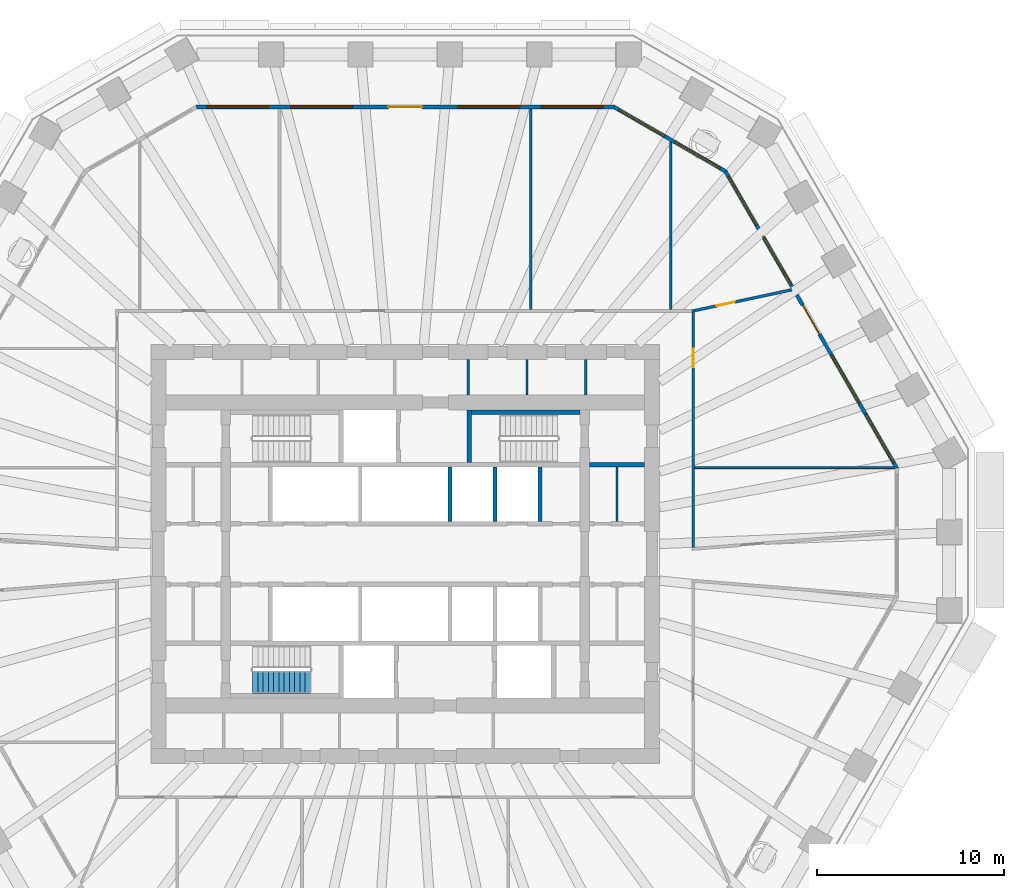
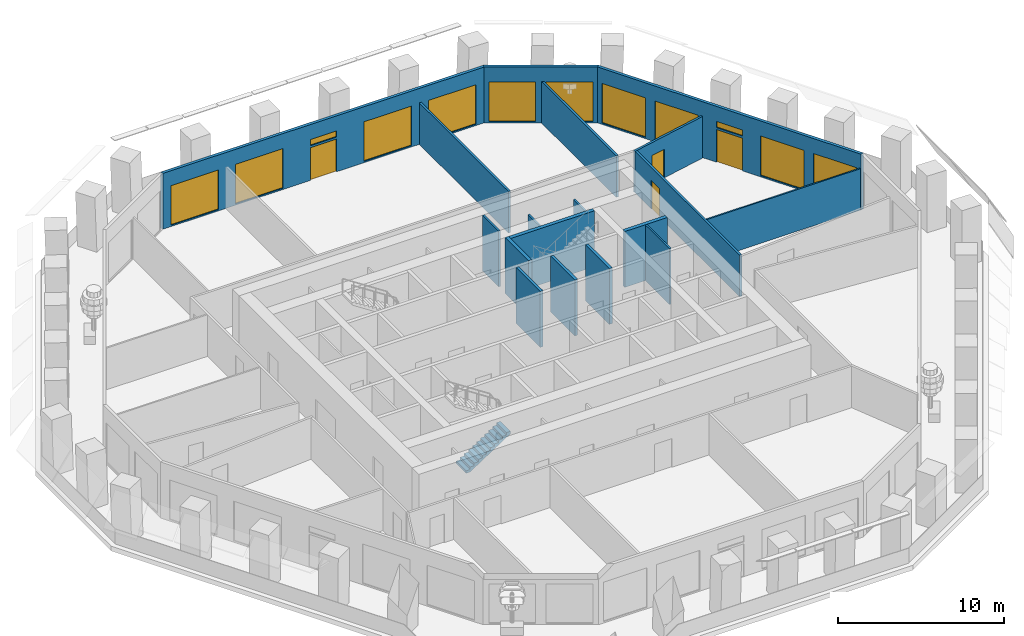
# One storey, part 8 of 13: 18 walls, 12 windows, 4 doors, 1 stair flight, 16 openings, 1 element without a shape of its own.
"""IFC4 building model written with IfcOpenShell, lengths in metres."""

from ifc_helpers import new_model, si_unit, direction, frame, frame_2d, origin, place, context, subcontext, project, spatial, polyline, rectangle, outline, extrude, material, layer, layer_set, type_object, element, fill, aggregate, save


model = new_model("IFC4")

# Units and contexts
model_context = context("Model", 3, precision=1e-05, world=origin(), true_north=direction((0.0, 1.0)))
body_context = subcontext(model_context, "Body", "Model", "MODEL_VIEW")
ifc_project = project(units=[si_unit("LENGTHUNIT", "METRE"), si_unit("AREAUNIT", "SQUARE_METRE"), si_unit("VOLUMEUNIT", "CUBIC_METRE"), si_unit("PLANEANGLEUNIT", "RADIAN"), si_unit("MASSUNIT", "GRAM", prefix="KILO")], contexts=[model_context])

# Site, building, storey
site_placement = place(None, origin())
site = spatial("IfcSite", under=ifc_project, at=site_placement, CompositionType="ELEMENT")
building_placement = place(site_placement, origin())
building = spatial("IfcBuilding", under=site, at=building_placement, Name="Frailejon Research Tower", CompositionType="ELEMENT")
storey_placement = place(building_placement, frame((0.0, 0.0, 117.60009765625)))
storey = spatial("IfcBuildingStorey", under=building, at=storey_placement, Name="L25", CompositionType="ELEMENT", Elevation=117.60009765625)

# Walls
ifc_material_1 = material(Name="Plasterboard on steel studs", Category="steel")
ifc_layer_1 = layer(ifc_material_1, 0.125)
ifc_layer_set_1 = layer_set([ifc_layer_1], Name="Core partition 125")
wall_type_1 = type_object("IfcWallType", Name="Core partition 125", PredefinedType="PARTITIONING", material=ifc_layer_set_1)
wall_1_placement = place(storey_placement, frame((3.362548828125, 8.5, 0.0), z_axis=(0.0, 0.0, 1.0), x_axis=(0.0, 1.0, 0.0)))
element("IfcWall", 1, at=wall_1_placement, inside=storey, type_object=wall_type_1, Name="Core partition", PredefinedType="PARTITIONING", context=body_context, shape_type="SweptSolid", body=[
    extrude(rectangle(XDim=1.89990234375, YDim=0.125, at=frame_2d((0.949951171875, 0.0))), origin(), (0.0, 0.0, 1.0), 4.099853515625),
])
for number, where, z_axis, x_axis, name in (
    (2, (6.50830078125, 8.5, 0.0), (0.0, 0.0, 1.0), (0.0, 1.0, 0.0), "Core partition"),
    (3, (9.654296875, 8.5, 0.0), (0.0, 0.0, 1.0), (0.0, 1.0, 0.0), "Core partition"),
):
    element("IfcWall", number, at=place(storey_placement, frame(where, z_axis=z_axis, x_axis=x_axis)), inside=storey, type_object=wall_type_1, Name=name, PredefinedType="PARTITIONING", context=body_context, shape_type="SweptSolid", body=[
        extrude(rectangle(XDim=1.89990234375, YDim=0.125, at=frame_2d((0.949951171875, 0.0))), origin(), (0.0, 0.0, 1.0), 3.0498046875),
    ])
wall_2_placement = place(storey_placement, frame((11.324951171875, 1.75, 0.0), z_axis=(0.0, 0.0, 1.0), x_axis=(0.0, 1.0, 0.0)))
element("IfcWall", 4, at=wall_2_placement, inside=storey, type_object=wall_type_1, Name="Core partition", PredefinedType="PARTITIONING", context=body_context, shape_type="SweptSolid", body=[
    extrude(rectangle(XDim=2.89990234375, YDim=0.125, at=frame_2d((1.449951171875, 0.0))), origin(), (0.0, 0.0, 1.0), 4.099853515625),
])

# Wall, opening, door
ifc_material_2 = material(Name="Gypsum board and masonry partition", Category="masonry")
ifc_layer_2 = layer(ifc_material_2, 0.14990234375)
ifc_layer_set_2 = layer_set([ifc_layer_2], Name="Corridor wall EI 60, gypsum on steel studs 150")
wall_type_2 = type_object("IfcWallType", Name="Corridor wall EI 60, gypsum on steel studs 150", PredefinedType="PARTITIONING", material=ifc_layer_set_2)
wall_3_placement = place(storey_placement, frame((15.39990234375, 0.349365234375, 0.0), z_axis=(0.0, 0.0, 1.0), x_axis=(0.0, 1.0, 0.0)))
wall_3 = element("IfcWall", 5, at=wall_3_placement, inside=storey, type_object=wall_type_2, Name="T:IW:L25:002", PredefinedType="PARTITIONING", context=body_context, shape_type="SweptSolid", body=[
    extrude(rectangle(XDim=12.57568359375, YDim=0.14990234375, at=frame_2d((6.287841796875, 0.0))), origin(), (0.0, 0.0, 1.0), 3.0498046875),
])
opening_1_placement = place(wall_3_placement, frame((9.630615234375, 0.0, 0.0)))
opening_1 = element("IfcOpeningElement", 6, at=opening_1_placement, cuts=wall_3, Name="Opening D1616", PredefinedType="OPENING", context=body_context, shape_type="SweptSolid", body=[
    extrude(rectangle(XDim=1.0, YDim=2.10009765625, at=frame_2d((0.5, 1.050048828125))), frame((0.0, 0.0849609375, 0.0), z_axis=(0.0, -1.0, 0.0), x_axis=(1.0, 0.0, 0.0)), (0.0, 0.0, 1.0), 0.169921875),
])
ifc_material_3 = material(Name="Timber door leaf", Category="wood")
door_type_1 = type_object("IfcDoorType", Name="Door single leaf, timber, steel frame 1000", OperationType="NOTDEFINED", PredefinedType="DOOR", material=ifc_material_3)
door_1_placement = place(opening_1_placement, origin())
door_1 = element("IfcDoor", 7, at=door_1_placement, inside=storey, type_object=door_type_1, Name="D1616", OperationType="SINGLE_SWING_LEFT", OverallHeight=2.10009765625, OverallWidth=1.0, PredefinedType="DOOR", context=body_context, shape_type="SweptSolid", body=[
    extrude(rectangle(XDim=1.0, YDim=2.10009765625, at=frame_2d((0.5, 1.050048828125))), frame((0.0, 0.02490234375, 0.0), z_axis=(0.0, -1.0, 0.0), x_axis=(1.0, 0.0, 0.0)), (0.0, 0.0, 1.0), 0.050048828125),
])
fill(opening_1, door_1)

ifc_material_4 = material(Name="Gypsum board and masonry partition", Category="masonry")
ifc_layer_3 = layer(ifc_material_4, 0.14990234375)
ifc_layer_set_3 = layer_set([ifc_layer_3], Name="Laboratory partition, blockwork 150")
wall_type_3 = type_object("IfcWallType", Name="Laboratory partition, blockwork 150", PredefinedType="PARTITIONING", material=ifc_layer_set_3)
wall_4_placement = place(storey_placement, frame((15.32666015625, 12.984375, 0.0), z_axis=(0.0, 0.0, 1.0), x_axis=(0.977871777119, 0.209205132621, 0.0)))
wall_4 = element("IfcWall", 8, at=wall_4_placement, inside=storey, type_object=wall_type_3, Name="T:IW:L25:011", PredefinedType="PARTITIONING", context=body_context, shape_type="SweptSolid", body=[
    extrude(rectangle(XDim=5.45556640625, YDim=0.14990234375, at=frame_2d((2.727783203125, 0.0))), origin(), (0.0, 0.0, 1.0), 3.0498046875),
])
opening_2_placement = place(wall_4_placement, frame((1.34521484375, 0.0, 0.0)))
opening_2 = element("IfcOpeningElement", 9, at=opening_2_placement, cuts=wall_4, Name="Opening D1617", PredefinedType="OPENING", context=body_context, shape_type="SweptSolid", body=[
    extrude(rectangle(XDim=1.0, YDim=2.10009765625, at=frame_2d((0.5, 1.050048828125))), frame((0.0, 0.0849609375, 0.0), z_axis=(0.0, -1.0, 0.0), x_axis=(1.0, 0.0, 0.0)), (0.0, 0.0, 1.0), 0.169921875),
])
ifc_material_5 = material(Name="Timber door leaf", Category="wood")
door_type_2 = type_object("IfcDoorType", Name="Door laboratory, timber, vision panel 1000", OperationType="NOTDEFINED", PredefinedType="DOOR", material=ifc_material_5)
door_2_placement = place(opening_2_placement, origin())
door_2 = element("IfcDoor", 10, at=door_2_placement, inside=storey, type_object=door_type_2, Name="D1617", OperationType="SINGLE_SWING_RIGHT", OverallHeight=2.10009765625, OverallWidth=1.0, PredefinedType="DOOR", context=body_context, shape_type="SweptSolid", body=[
    extrude(rectangle(XDim=1.0, YDim=2.10009765625, at=frame_2d((0.5, 1.050048828125))), frame((0.0, 0.02490234375, 0.0), z_axis=(0.0, -1.0, 0.0), x_axis=(1.0, 0.0, 0.0)), (0.0, 0.0, 1.0), 0.050048828125),
])
fill(opening_2, door_2)

# Walls
wall_5_placement = place(storey_placement, frame((14.19189453125, 13.074951171875, 0.0), z_axis=(0.0, 0.0, 1.0), x_axis=(0.0, 1.0, 0.0)))
element("IfcWall", 11, at=wall_5_placement, inside=storey, type_object=wall_type_3, Name="T:IW:L25:012", PredefinedType="PARTITIONING", context=body_context, shape_type="SweptSolid", body=[
    extrude(rectangle(XDim=8.962158203125, YDim=0.14990234375, at=frame_2d((4.48095703125, 0.0))), origin(), (0.0, 0.0, 1.0), 3.0498046875),
])
wall_6_placement = place(storey_placement, frame((6.715087890625, 13.074951171875, 0.0), z_axis=(0.0, 0.0, 1.0), x_axis=(0.0, 1.0, 0.0)))
element("IfcWall", 12, at=wall_6_placement, inside=storey, type_object=wall_type_3, Name="T:IW:L25:013", PredefinedType="PARTITIONING", context=body_context, shape_type="SweptSolid", body=[
    extrude(rectangle(XDim=10.72509765625, YDim=0.14990234375, at=frame_2d((5.362548828125, 0.0))), origin(), (0.0, 0.0, 1.0), 3.0498046875),
])
ifc_material_6 = material(Name="Gypsum board and masonry partition", Category="masonry")
ifc_layer_4 = layer(ifc_material_6, 0.10009765625)
ifc_layer_set_4 = layer_set([ifc_layer_4], Name="Partition, gypsum on steel studs 100")
wall_type_4 = type_object("IfcWallType", Name="Partition, gypsum on steel studs 100", PredefinedType="PARTITIONING", material=ifc_layer_set_4)
wall_7_placement = place(storey_placement, frame((15.47509765625, 4.62060546875, 0.0), z_axis=(0.0, 0.0, 1.0), x_axis=(1.0, 0.0, 0.0)))
element("IfcWall", 13, at=wall_7_placement, inside=storey, type_object=wall_type_4, Name="T:IW:L25:021", PredefinedType="PARTITIONING", context=body_context, shape_type="SweptSolid", body=[
    extrude(rectangle(XDim=10.674560546875, YDim=0.10009765625, at=frame_2d((5.33740234375, 0.0))), origin(), (0.0, 0.0, 1.0), 3.0498046875),
])
ifc_material_7 = material(Name="Concrete C70/85", Category="concrete")
ifc_layer_5 = layer(ifc_material_7, 0.199951171875)
ifc_layer_set_5 = layer_set([ifc_layer_5], Name="Shaft wall 200 C70/85")
wall_type_5 = type_object("IfcWallType", Name="Shaft wall 200 C70/85", PredefinedType="SOLIDWALL", material=ifc_layer_set_5)
for number, where, z_axis, x_axis, name in (
    (14, (2.39990234375, 1.75, 0.0), (0.0, 0.0, 1.0), (0.0, 1.0, 0.0), "Shaft wall"),
    (15, (4.800048828125, 1.75, 0.0), (0.0, 0.0, 1.0), (0.0, 1.0, 0.0), "Shaft wall"),
    (16, (7.199951171875, 1.75, 0.0), (0.0, 0.0, 1.0), (0.0, 1.0, 0.0), "Shaft wall"),
):
    element("IfcWall", number, at=place(storey_placement, frame(where, z_axis=z_axis, x_axis=x_axis)), inside=storey, type_object=wall_type_5, Name=name, PredefinedType="SOLIDWALL", context=body_context, shape_type="SweptSolid", body=[
        extrude(rectangle(XDim=2.89990234375, YDim=0.199951171875, at=frame_2d((1.449951171875, 0.0))), origin(), (0.0, 0.0, 1.0), 4.099853515625),
    ])
ifc_material_8 = material(Name="Concrete C70/85", Category="concrete")
ifc_layer_6 = layer(ifc_material_8, 0.25)
ifc_layer_set_6 = layer_set([ifc_layer_6], Name="Shaft wall 250 C70/85")
wall_type_6 = type_object("IfcWallType", Name="Shaft wall 250 C70/85", PredefinedType="SOLIDWALL", material=ifc_layer_set_6)
wall_8_placement = place(storey_placement, frame((9.85009765625, 4.77490234375, 0.0), z_axis=(0.0, 0.0, 1.0), x_axis=(1.0, 0.0, 0.0)))
element("IfcWall", 17, at=wall_8_placement, inside=storey, type_object=wall_type_6, Name="Shaft wall", PredefinedType="SOLIDWALL", context=body_context, shape_type="SweptSolid", body=[
    extrude(rectangle(XDim=2.949951171875, YDim=0.25, at=frame_2d((1.47509765625, 0.0))), origin(), (0.0, 0.0, 1.0), 4.099853515625),
])
wall_9_placement = place(storey_placement, frame((3.550048828125, 7.574951171875, 0.0), z_axis=(0.0, 0.0, 1.0), x_axis=(1.0, 0.0, 0.0)))
element("IfcWall", 18, at=wall_9_placement, inside=storey, type_object=wall_type_6, Name="Shaft wall", PredefinedType="SOLIDWALL", context=body_context, shape_type="SweptSolid", body=[
    extrude(rectangle(XDim=5.800048828125, YDim=0.25, at=frame_2d((2.89990234375, 0.0))), origin(), (0.0, 0.0, 1.0), 4.099853515625),
])
wall_10_placement = place(storey_placement, frame((3.425048828125, 4.89990234375, 0.0), z_axis=(0.0, 0.0, 1.0), x_axis=(0.0, 1.0, 0.0)))
element("IfcWall", 19, at=wall_10_placement, inside=storey, type_object=wall_type_6, Name="Shaft wall", PredefinedType="SOLIDWALL", context=body_context, shape_type="SweptSolid", body=[
    extrude(rectangle(XDim=2.800048828125, YDim=0.25, at=frame_2d((1.39990234375, 0.0))), origin(), (0.0, 0.0, 1.0), 4.099853515625),
])

# Wall, openings, door, windows
ifc_material_9 = material(Name="Concrete C40/50 precast window wall panel", Category="concrete")
ifc_layer_7 = layer(ifc_material_9, 0.199951171875)
ifc_layer_set_7 = layer_set([ifc_layer_7], Name="Window wall 200")
wall_type_7 = type_object("IfcWallType", Name="Window wall 200", PredefinedType="SOLIDWALL", material=ifc_layer_set_7)
wall_11_placement = place(storey_placement, frame((26.280517578125, 4.59375, 0.0), z_axis=(0.0, 0.0, 1.0), x_axis=(-0.499998099904, 0.866026500803, 0.0)))
wall_11 = element("IfcWall", 20, at=wall_11_placement, inside=storey, type_object=wall_type_7, Name="Exterior wall L25", PredefinedType="SOLIDWALL", context=body_context, shape_type="SweptSolid", body=[
    extrude(outline(polyline([(-0.02685546875, -0.10009765625), (0.994140625, -0.10009765625), (2.01513671875, -0.10009765625), (3.0361328125, -0.10009765625), (4.05712890625, -0.10009765625), (5.077880859375, -0.10009765625), (6.098876953125, -0.10009765625), (7.119873046875, -0.10009765625), (8.140869140625, -0.10009765625), (9.161865234375, -0.10009765625), (10.182861328125, -0.10009765625), (11.203857421875, -0.10009765625), (12.224853515625, -0.10009765625), (13.245849609375, -0.10009765625), (14.2666015625, -0.10009765625), (15.28759765625, -0.10009765625), (16.30859375, -0.10009765625), (17.32958984375, -0.10009765625), (18.3505859375, -0.10009765625), (18.296875, 0.10009765625), (17.281982421875, 0.10009765625), (16.266845703125, 0.10009765625), (15.251953125, 0.10009765625), (14.23681640625, 0.10009765625), (13.221923828125, 0.10009765625), (12.206787109375, 0.10009765625), (11.19189453125, 0.10009765625), (10.1767578125, 0.10009765625), (9.161865234375, 0.10009765625), (8.14697265625, 0.10009765625), (7.1318359375, 0.10009765625), (6.116943359375, 0.10009765625), (5.101806640625, 0.10009765625), (4.0869140625, 0.10009765625), (3.07177734375, 0.10009765625), (2.056884765625, 0.10009765625), (1.041748046875, 0.10009765625), (0.02685546875, 0.10009765625), (-0.02685546875, -0.10009765625)])), origin(), (0.0, 0.0, 1.0), 4.099853515625),
])
opening_3_placement = place(wall_11_placement, frame((0.33251953125, 0.0, 0.10009765625)))
opening_3 = element("IfcOpeningElement", 21, at=opening_3_placement, cuts=wall_11, Name="Opening W4", PredefinedType="OPENING", context=body_context, shape_type="SweptSolid", body=[
    extrude(rectangle(XDim=3.0, YDim=2.89990234375, at=frame_2d((1.5, 1.449951171875))), frame((0.0, 0.10986328125, 0.0), z_axis=(0.0, -1.0, 0.0), x_axis=(1.0, 0.0, 0.0)), (0.0, 0.0, 1.0), 0.219970703125),
])
opening_4_placement = place(wall_11_placement, frame((3.9970703125, 0.0, 0.10009765625)))
opening_4 = element("IfcOpeningElement", 22, at=opening_4_placement, cuts=wall_11, Name="Opening W4", PredefinedType="OPENING", context=body_context, shape_type="SweptSolid", body=[
    extrude(rectangle(XDim=3.0, YDim=2.89990234375, at=frame_2d((1.5, 1.449951171875))), frame((0.0, 0.10986328125, 0.0), z_axis=(0.0, -1.0, 0.0), x_axis=(1.0, 0.0, 0.0)), (0.0, 0.0, 1.0), 0.219970703125),
])
opening_5_placement = place(wall_11_placement, frame((8.261962890625, 0.0, 0.0)))
opening_5 = element("IfcOpeningElement", 23, at=opening_5_placement, cuts=wall_11, Name="Opening LG25-1", PredefinedType="OPENING", context=body_context, shape_type="SweptSolid", body=[
    extrude(rectangle(XDim=1.800048828125, YDim=2.39990234375, at=frame_2d((0.89990234375, 1.199951171875))), frame((0.0, 0.10986328125, 0.0), z_axis=(0.0, -1.0, 0.0), x_axis=(1.0, 0.0, 0.0)), (0.0, 0.0, 1.0), 0.219970703125),
])
opening_6_placement = place(wall_11_placement, frame((8.261962890625, 0.0, 2.550048828125)))
opening_6 = element("IfcOpeningElement", 24, at=opening_6_placement, cuts=wall_11, Name="Opening W1", PredefinedType="OPENING", context=body_context, shape_type="SweptSolid", body=[
    extrude(rectangle(XDim=1.800048828125, YDim=0.449951171875, at=frame_2d((0.89990234375, 0.22509765625))), frame((0.0, 0.10986328125, 0.0), z_axis=(0.0, -1.0, 0.0), x_axis=(1.0, 0.0, 0.0)), (0.0, 0.0, 1.0), 0.219970703125),
])
opening_7_placement = place(wall_11_placement, frame((11.32666015625, 0.0, 0.10009765625)))
opening_7 = element("IfcOpeningElement", 25, at=opening_7_placement, cuts=wall_11, Name="Opening W4", PredefinedType="OPENING", context=body_context, shape_type="SweptSolid", body=[
    extrude(rectangle(XDim=3.0, YDim=2.89990234375, at=frame_2d((1.5, 1.449951171875))), frame((0.0, 0.10986328125, 0.0), z_axis=(0.0, -1.0, 0.0), x_axis=(1.0, 0.0, 0.0)), (0.0, 0.0, 1.0), 0.219970703125),
])
opening_8_placement = place(wall_11_placement, frame((14.991455078125, 0.0, 0.10009765625)))
opening_8 = element("IfcOpeningElement", 26, at=opening_8_placement, cuts=wall_11, Name="Opening W4", PredefinedType="OPENING", context=body_context, shape_type="SweptSolid", body=[
    extrude(rectangle(XDim=3.0, YDim=2.89990234375, at=frame_2d((1.5, 1.449951171875))), frame((0.0, 0.10986328125, 0.0), z_axis=(0.0, -1.0, 0.0), x_axis=(1.0, 0.0, 0.0)), (0.0, 0.0, 1.0), 0.219970703125),
])
ifc_material_10 = material(Name="Aluminium framed glazed door leaf", Category="aluminium")
door_type_3 = type_object("IfcDoorType", Name="Loggia door 1800x2400", OperationType="DOUBLE_DOOR_SINGLE_SWING", PredefinedType="DOOR", material=ifc_material_10)
door_3_placement = place(opening_5_placement, origin())
door_3 = element("IfcDoor", 27, at=door_3_placement, inside=storey, type_object=door_type_3, Name="Door LG25-1", OperationType="DOUBLE_DOOR_SINGLE_SWING", OverallHeight=2.39990234375, OverallWidth=1.800048828125, PredefinedType="DOOR", context=body_context, shape_type="SweptSolid", body=[
    extrude(rectangle(XDim=1.800048828125, YDim=2.39990234375, at=frame_2d((0.89990234375, 1.199951171875))), frame((0.0, 0.02490234375, 0.0), z_axis=(0.0, -1.0, 0.0), x_axis=(1.0, 0.0, 0.0)), (0.0, 0.0, 1.0), 0.050048828125),
])
fill(opening_5, door_3)
ifc_material_11 = material(Name="Aluminium framed double glazing", Category="aluminium")
window_type_1 = type_object("IfcWindowType", Name="Window 1800x450", PartitioningType="SINGLE_PANEL", PredefinedType="WINDOW", material=ifc_material_11)
window_1_placement = place(opening_6_placement, origin())
window_1 = element("IfcWindow", 28, at=window_1_placement, inside=storey, type_object=window_type_1, Name="Window L25", OverallHeight=0.449951171875, OverallWidth=1.800048828125, PartitioningType="SINGLE_PANEL", PredefinedType="WINDOW", context=body_context, shape_type="SweptSolid", body=[
    extrude(rectangle(XDim=1.800048828125, YDim=0.449951171875, at=frame_2d((0.89990234375, 0.22509765625))), frame((0.0, 0.030029296875, 0.0), z_axis=(0.0, -1.0, 0.0), x_axis=(1.0, 0.0, 0.0)), (0.0, 0.0, 1.0), 0.06005859375),
])
fill(opening_6, window_1)
ifc_material_12 = material(Name="Aluminium framed double glazing", Category="aluminium")
window_type_2 = type_object("IfcWindowType", Name="Window 3000x2900", PartitioningType="SINGLE_PANEL", PredefinedType="WINDOW", material=ifc_material_12)
window_2_placement = place(opening_3_placement, origin())
window_2 = element("IfcWindow", 29, at=window_2_placement, inside=storey, type_object=window_type_2, Name="Window L25", OverallHeight=2.89990234375, OverallWidth=3.0, PartitioningType="SINGLE_PANEL", PredefinedType="WINDOW", context=body_context, shape_type="SweptSolid", body=[
    extrude(rectangle(XDim=3.0, YDim=2.89990234375, at=frame_2d((1.5, 1.449951171875))), frame((0.0, 0.030029296875, 0.0), z_axis=(0.0, -1.0, 0.0), x_axis=(1.0, 0.0, 0.0)), (0.0, 0.0, 1.0), 0.06005859375),
])
fill(opening_3, window_2)
window_3_placement = place(opening_4_placement, origin())
window_3 = element("IfcWindow", 30, at=window_3_placement, inside=storey, type_object=window_type_2, Name="Window L25", OverallHeight=2.89990234375, OverallWidth=3.0, PartitioningType="SINGLE_PANEL", PredefinedType="WINDOW", context=body_context, shape_type="SweptSolid", body=[
    extrude(rectangle(XDim=3.0, YDim=2.89990234375, at=frame_2d((1.5, 1.449951171875))), frame((0.0, 0.030029296875, 0.0), z_axis=(0.0, -1.0, 0.0), x_axis=(1.0, 0.0, 0.0)), (0.0, 0.0, 1.0), 0.06005859375),
])
fill(opening_4, window_3)
window_4_placement = place(opening_7_placement, origin())
window_4 = element("IfcWindow", 31, at=window_4_placement, inside=storey, type_object=window_type_2, Name="Window L25", OverallHeight=2.89990234375, OverallWidth=3.0, PartitioningType="SINGLE_PANEL", PredefinedType="WINDOW", context=body_context, shape_type="SweptSolid", body=[
    extrude(rectangle(XDim=3.0, YDim=2.89990234375, at=frame_2d((1.5, 1.449951171875))), frame((0.0, 0.030029296875, 0.0), z_axis=(0.0, -1.0, 0.0), x_axis=(1.0, 0.0, 0.0)), (0.0, 0.0, 1.0), 0.06005859375),
])
fill(opening_7, window_4)
window_5_placement = place(opening_8_placement, origin())
window_5 = element("IfcWindow", 32, at=window_5_placement, inside=storey, type_object=window_type_2, Name="Window L25", OverallHeight=2.89990234375, OverallWidth=3.0, PartitioningType="SINGLE_PANEL", PredefinedType="WINDOW", context=body_context, shape_type="SweptSolid", body=[
    extrude(rectangle(XDim=3.0, YDim=2.89990234375, at=frame_2d((1.5, 1.449951171875))), frame((0.0, 0.030029296875, 0.0), z_axis=(0.0, -1.0, 0.0), x_axis=(1.0, 0.0, 0.0)), (0.0, 0.0, 1.0), 0.06005859375),
])
fill(opening_8, window_5)

# Wall, openings, windows
wall_12_placement = place(storey_placement, frame((17.11865234375, 20.462646484375, 0.0), z_axis=(0.0, 0.0, 1.0), x_axis=(-0.866029458321, 0.49999297727, 0.0)))
wall_12 = element("IfcWall", 33, at=wall_12_placement, inside=storey, type_object=wall_type_7, Name="Exterior wall L25", PredefinedType="SOLIDWALL", context=body_context, shape_type="SweptSolid", body=[
    extrude(outline(polyline([(-0.02685546875, -0.10009765625), (1.1279296875, -0.10009765625), (2.282470703125, -0.10009765625), (3.437255859375, -0.10009765625), (4.592041015625, -0.10009765625), (5.74658203125, -0.10009765625), (6.9013671875, -0.10009765625), (6.84765625, 0.10009765625), (5.7109375, 0.10009765625), (4.573974609375, 0.10009765625), (3.437255859375, 0.10009765625), (2.300537109375, 0.10009765625), (1.16357421875, 0.10009765625), (0.02685546875, 0.10009765625), (-0.02685546875, -0.10009765625)])), origin(), (0.0, 0.0, 1.0), 4.099853515625),
])
opening_9_placement = place(wall_12_placement, frame((0.318603515625, 0.0, 0.10009765625)))
opening_9 = element("IfcOpeningElement", 34, at=opening_9_placement, cuts=wall_12, Name="Opening W3", PredefinedType="OPENING", context=body_context, shape_type="SweptSolid", body=[
    extrude(rectangle(XDim=2.800048828125, YDim=2.89990234375, at=frame_2d((1.39990234375, 1.449951171875))), frame((0.0, 0.10986328125, 0.0), z_axis=(0.0, -1.0, 0.0), x_axis=(1.0, 0.0, 0.0)), (0.0, 0.0, 1.0), 0.219970703125),
])
opening_10_placement = place(wall_12_placement, frame((3.756103515625, 0.0, 0.10009765625)))
opening_10 = element("IfcOpeningElement", 35, at=opening_10_placement, cuts=wall_12, Name="Opening W3", PredefinedType="OPENING", context=body_context, shape_type="SweptSolid", body=[
    extrude(rectangle(XDim=2.800048828125, YDim=2.89990234375, at=frame_2d((1.39990234375, 1.449951171875))), frame((0.0, 0.10986328125, 0.0), z_axis=(0.0, -1.0, 0.0), x_axis=(1.0, 0.0, 0.0)), (0.0, 0.0, 1.0), 0.219970703125),
])
ifc_material_13 = material(Name="Aluminium framed double glazing", Category="aluminium")
window_type_3 = type_object("IfcWindowType", Name="Window 2800x2900", PartitioningType="SINGLE_PANEL", PredefinedType="WINDOW", material=ifc_material_13)
window_6_placement = place(opening_9_placement, origin())
window_6 = element("IfcWindow", 36, at=window_6_placement, inside=storey, type_object=window_type_3, Name="Window L25", OverallHeight=2.89990234375, OverallWidth=2.800048828125, PartitioningType="SINGLE_PANEL", PredefinedType="WINDOW", context=body_context, shape_type="SweptSolid", body=[
    extrude(rectangle(XDim=2.800048828125, YDim=2.89990234375, at=frame_2d((1.39990234375, 1.449951171875))), frame((0.0, 0.030029296875, 0.0), z_axis=(0.0, -1.0, 0.0), x_axis=(1.0, 0.0, 0.0)), (0.0, 0.0, 1.0), 0.06005859375),
])
fill(opening_9, window_6)
window_7_placement = place(opening_10_placement, origin())
window_7 = element("IfcWindow", 37, at=window_7_placement, inside=storey, type_object=window_type_3, Name="Window L25", OverallHeight=2.89990234375, OverallWidth=2.800048828125, PartitioningType="SINGLE_PANEL", PredefinedType="WINDOW", context=body_context, shape_type="SweptSolid", body=[
    extrude(rectangle(XDim=2.800048828125, YDim=2.89990234375, at=frame_2d((1.39990234375, 1.449951171875))), frame((0.0, 0.030029296875, 0.0), z_axis=(0.0, -1.0, 0.0), x_axis=(1.0, 0.0, 0.0)), (0.0, 0.0, 1.0), 0.06005859375),
])
fill(opening_10, window_7)

# Wall, openings, door, windows
wall_13_placement = place(storey_placement, frame((11.1650390625, 23.89990234375, 0.0), z_axis=(0.0, 0.0, 1.0), x_axis=(-1.0, 0.0, 0.0)))
wall_13 = element("IfcWall", 38, at=wall_13_placement, inside=storey, type_object=wall_type_7, Name="Exterior wall L25", PredefinedType="SOLIDWALL", context=body_context, shape_type="SweptSolid", body=[
    extrude(outline(polyline([(-0.02685546875, -0.10009765625), (0.990478515625, -0.10009765625), (2.008056640625, -0.10009765625), (3.025390625, -0.10009765625), (4.04296875, -0.10009765625), (5.060302734375, -0.10009765625), (6.077880859375, -0.10009765625), (7.09521484375, -0.10009765625), (8.11279296875, -0.10009765625), (9.130126953125, -0.10009765625), (10.147705078125, -0.10009765625), (11.1650390625, -0.10009765625), (12.182373046875, -0.10009765625), (13.199951171875, -0.10009765625), (14.21728515625, -0.10009765625), (15.23486328125, -0.10009765625), (16.252197265625, -0.10009765625), (17.269775390625, -0.10009765625), (18.287109375, -0.10009765625), (19.3046875, -0.10009765625), (20.322021484375, -0.10009765625), (21.339599609375, -0.10009765625), (22.35693359375, -0.10009765625), (22.30322265625, 0.10009765625), (21.290771484375, 0.10009765625), (20.278076171875, 0.10009765625), (19.265625, 0.10009765625), (18.2529296875, 0.10009765625), (17.240478515625, 0.10009765625), (16.227783203125, 0.10009765625), (15.21533203125, 0.10009765625), (14.20263671875, 0.10009765625), (13.190185546875, 0.10009765625), (12.177490234375, 0.10009765625), (11.1650390625, 0.10009765625), (10.152587890625, 0.10009765625), (9.139892578125, 0.10009765625), (8.12744140625, 0.10009765625), (7.11474609375, 0.10009765625), (6.102294921875, 0.10009765625), (5.089599609375, 0.10009765625), (4.0771484375, 0.10009765625), (3.064453125, 0.10009765625), (2.052001953125, 0.10009765625), (1.039306640625, 0.10009765625), (0.02685546875, 0.10009765625), (-0.02685546875, -0.10009765625)])), origin(), (0.0, 0.0, 1.0), 4.099853515625),
])
opening_11_placement = place(wall_13_placement, frame((0.5830078125, 0.0, 0.10009765625)))
opening_11 = element("IfcOpeningElement", 39, at=opening_11_placement, cuts=wall_13, Name="Opening W5", PredefinedType="OPENING", context=body_context, shape_type="SweptSolid", body=[
    extrude(rectangle(XDim=3.300048828125, YDim=2.89990234375, at=frame_2d((1.64990234375, 1.449951171875))), frame((0.0, 0.10986328125, 0.0), z_axis=(0.0, -1.0, 0.0), x_axis=(1.0, 0.0, 0.0)), (0.0, 0.0, 1.0), 0.219970703125),
])
opening_12_placement = place(wall_13_placement, frame((5.049072265625, 0.0, 0.10009765625)))
opening_12 = element("IfcOpeningElement", 40, at=opening_12_placement, cuts=wall_13, Name="Opening W5", PredefinedType="OPENING", context=body_context, shape_type="SweptSolid", body=[
    extrude(rectangle(XDim=3.300048828125, YDim=2.89990234375, at=frame_2d((1.64990234375, 1.449951171875))), frame((0.0, 0.10986328125, 0.0), z_axis=(0.0, -1.0, 0.0), x_axis=(1.0, 0.0, 0.0)), (0.0, 0.0, 1.0), 0.219970703125),
])
opening_13_placement = place(wall_13_placement, frame((10.264892578125, 0.0, 0.0)))
opening_13 = element("IfcOpeningElement", 41, at=opening_13_placement, cuts=wall_13, Name="Opening LG25-2", PredefinedType="OPENING", context=body_context, shape_type="SweptSolid", body=[
    extrude(rectangle(XDim=1.800048828125, YDim=2.39990234375, at=frame_2d((0.89990234375, 1.199951171875))), frame((0.0, 0.10986328125, 0.0), z_axis=(0.0, -1.0, 0.0), x_axis=(1.0, 0.0, 0.0)), (0.0, 0.0, 1.0), 0.219970703125),
])
opening_14_placement = place(wall_13_placement, frame((10.264892578125, 0.0, 2.550048828125)))
opening_14 = element("IfcOpeningElement", 42, at=opening_14_placement, cuts=wall_13, Name="Opening W1", PredefinedType="OPENING", context=body_context, shape_type="SweptSolid", body=[
    extrude(rectangle(XDim=1.800048828125, YDim=0.449951171875, at=frame_2d((0.89990234375, 0.22509765625))), frame((0.0, 0.10986328125, 0.0), z_axis=(0.0, -1.0, 0.0), x_axis=(1.0, 0.0, 0.0)), (0.0, 0.0, 1.0), 0.219970703125),
])
opening_15_placement = place(wall_13_placement, frame((13.98095703125, 0.0, 0.10009765625)))
opening_15 = element("IfcOpeningElement", 43, at=opening_15_placement, cuts=wall_13, Name="Opening W5", PredefinedType="OPENING", context=body_context, shape_type="SweptSolid", body=[
    extrude(rectangle(XDim=3.300048828125, YDim=2.89990234375, at=frame_2d((1.64990234375, 1.449951171875))), frame((0.0, 0.10986328125, 0.0), z_axis=(0.0, -1.0, 0.0), x_axis=(1.0, 0.0, 0.0)), (0.0, 0.0, 1.0), 0.219970703125),
])
opening_16_placement = place(wall_13_placement, frame((18.447021484375, 0.0, 0.10009765625)))
opening_16 = element("IfcOpeningElement", 44, at=opening_16_placement, cuts=wall_13, Name="Opening W5", PredefinedType="OPENING", context=body_context, shape_type="SweptSolid", body=[
    extrude(rectangle(XDim=3.300048828125, YDim=2.89990234375, at=frame_2d((1.64990234375, 1.449951171875))), frame((0.0, 0.10986328125, 0.0), z_axis=(0.0, -1.0, 0.0), x_axis=(1.0, 0.0, 0.0)), (0.0, 0.0, 1.0), 0.219970703125),
])
door_4_placement = place(opening_13_placement, origin())
door_4 = element("IfcDoor", 45, at=door_4_placement, inside=storey, type_object=door_type_3, Name="Door LG25-2", OperationType="DOUBLE_DOOR_SINGLE_SWING", OverallHeight=2.39990234375, OverallWidth=1.800048828125, PredefinedType="DOOR", context=body_context, shape_type="SweptSolid", body=[
    extrude(rectangle(XDim=1.800048828125, YDim=2.39990234375, at=frame_2d((0.89990234375, 1.199951171875))), frame((0.0, 0.02490234375, 0.0), z_axis=(0.0, -1.0, 0.0), x_axis=(1.0, 0.0, 0.0)), (0.0, 0.0, 1.0), 0.050048828125),
])
fill(opening_13, door_4)
window_8_placement = place(opening_14_placement, origin())
window_8 = element("IfcWindow", 46, at=window_8_placement, inside=storey, type_object=window_type_1, Name="Window L25", OverallHeight=0.449951171875, OverallWidth=1.800048828125, PartitioningType="SINGLE_PANEL", PredefinedType="WINDOW", context=body_context, shape_type="SweptSolid", body=[
    extrude(rectangle(XDim=1.800048828125, YDim=0.449951171875, at=frame_2d((0.89990234375, 0.22509765625))), frame((0.0, 0.030029296875, 0.0), z_axis=(0.0, -1.0, 0.0), x_axis=(1.0, 0.0, 0.0)), (0.0, 0.0, 1.0), 0.06005859375),
])
fill(opening_14, window_8)
ifc_material_14 = material(Name="Aluminium framed double glazing", Category="aluminium")
window_type_4 = type_object("IfcWindowType", Name="Window 3300x2900", PartitioningType="SINGLE_PANEL", PredefinedType="WINDOW", material=ifc_material_14)
window_9_placement = place(opening_11_placement, origin())
window_9 = element("IfcWindow", 47, at=window_9_placement, inside=storey, type_object=window_type_4, Name="Window L25", OverallHeight=2.89990234375, OverallWidth=3.300048828125, PartitioningType="SINGLE_PANEL", PredefinedType="WINDOW", context=body_context, shape_type="SweptSolid", body=[
    extrude(rectangle(XDim=3.300048828125, YDim=2.89990234375, at=frame_2d((1.64990234375, 1.449951171875))), frame((0.0, 0.030029296875, 0.0), z_axis=(0.0, -1.0, 0.0), x_axis=(1.0, 0.0, 0.0)), (0.0, 0.0, 1.0), 0.06005859375),
])
fill(opening_11, window_9)
window_10_placement = place(opening_12_placement, origin())
window_10 = element("IfcWindow", 48, at=window_10_placement, inside=storey, type_object=window_type_4, Name="Window L25", OverallHeight=2.89990234375, OverallWidth=3.300048828125, PartitioningType="SINGLE_PANEL", PredefinedType="WINDOW", context=body_context, shape_type="SweptSolid", body=[
    extrude(rectangle(XDim=3.300048828125, YDim=2.89990234375, at=frame_2d((1.64990234375, 1.449951171875))), frame((0.0, 0.030029296875, 0.0), z_axis=(0.0, -1.0, 0.0), x_axis=(1.0, 0.0, 0.0)), (0.0, 0.0, 1.0), 0.06005859375),
])
fill(opening_12, window_10)
window_11_placement = place(opening_15_placement, origin())
window_11 = element("IfcWindow", 49, at=window_11_placement, inside=storey, type_object=window_type_4, Name="Window L25", OverallHeight=2.89990234375, OverallWidth=3.300048828125, PartitioningType="SINGLE_PANEL", PredefinedType="WINDOW", context=body_context, shape_type="SweptSolid", body=[
    extrude(rectangle(XDim=3.300048828125, YDim=2.89990234375, at=frame_2d((1.64990234375, 1.449951171875))), frame((0.0, 0.030029296875, 0.0), z_axis=(0.0, -1.0, 0.0), x_axis=(1.0, 0.0, 0.0)), (0.0, 0.0, 1.0), 0.06005859375),
])
fill(opening_15, window_11)
window_12_placement = place(opening_16_placement, origin())
window_12 = element("IfcWindow", 50, at=window_12_placement, inside=storey, type_object=window_type_4, Name="Window L25", OverallHeight=2.89990234375, OverallWidth=3.300048828125, PartitioningType="SINGLE_PANEL", PredefinedType="WINDOW", context=body_context, shape_type="SweptSolid", body=[
    extrude(rectangle(XDim=3.300048828125, YDim=2.89990234375, at=frame_2d((1.64990234375, 1.449951171875))), frame((0.0, 0.030029296875, 0.0), z_axis=(0.0, -1.0, 0.0), x_axis=(1.0, 0.0, 0.0)), (0.0, 0.0, 1.0), 0.06005859375),
])
fill(opening_16, window_12)

# Stair, stair flight
ifc_material_15 = material(Name="Concrete C50/60", Category="concrete")
stair_type = type_object("IfcStairType", Name="Exit stair 24 risers", PredefinedType="HALF_TURN_STAIR", material=ifc_material_15)
stair_placement = place(storey_placement, origin())
stair = element("IfcStair", 51, at=stair_placement, inside=storey, type_object=stair_type, Name="L25 Exit stair ST2", PredefinedType="HALF_TURN_STAIR")
ifc_material_16 = material(Name="Concrete C50/60", Category="concrete")
ifc_layer_8 = layer(ifc_material_16, 0.14990234375)
ifc_layer_set_8 = layer_set([ifc_layer_8], Name="Stair flight 12 risers")
stair_flight_type = type_object("IfcStairFlightType", Name="Stair flight 12 risers", PredefinedType="STRAIGHT", material=ifc_layer_set_8)
stair_flight_placement = place(storey_placement, frame((-8.14990234375, -6.85009765625, 0.0), z_axis=(0.0, 0.0, 1.0), x_axis=(1.0, 0.0, 0.0)))
stair_flight = element("IfcStairFlight", 52, at=stair_flight_placement, type_object=stair_flight_type, Name="ST2 flight 1", NumberOfRisers=12, NumberOfTreads=11, PredefinedType="STRAIGHT", RiserHeight=0.183333333, TreadLength=0.28, context=body_context, shape_type="SweptSolid", body=[
    extrude(outline(polyline([(0.0, 0.0), (0.0, 0.183349609375), (0.280029296875, 0.183349609375), (0.280029296875, 0.36669921875), (0.56005859375, 0.36669921875), (0.56005859375, 0.550048828125), (0.840087890625, 0.550048828125), (0.840087890625, 0.7333984375), (1.1201171875, 0.7333984375), (1.1201171875, 0.916748046875), (1.39990234375, 0.916748046875), (1.39990234375, 1.10009765625), (1.679931640625, 1.10009765625), (1.679931640625, 1.283447265625), (1.9599609375, 1.283447265625), (1.9599609375, 1.466552734375), (2.239990234375, 1.466552734375), (2.239990234375, 1.64990234375), (2.52001953125, 1.64990234375), (2.52001953125, 1.833251953125), (2.800048828125, 1.833251953125), (2.800048828125, 2.0166015625), (3.080078125, 2.0166015625), (3.080078125, 2.199951171875), (3.080078125, 1.83740234375), (0.273681640625, 0.0), (0.0, 0.0)])), frame((0.0, 0.60009765625, 0.0), z_axis=(0.0, -1.0, 0.0), x_axis=(1.0, 0.0, 0.0)), (0.0, 0.0, 1.0), 1.199951171875),
])
aggregate(stair, [stair_flight])

save(model, "model.ifc")
